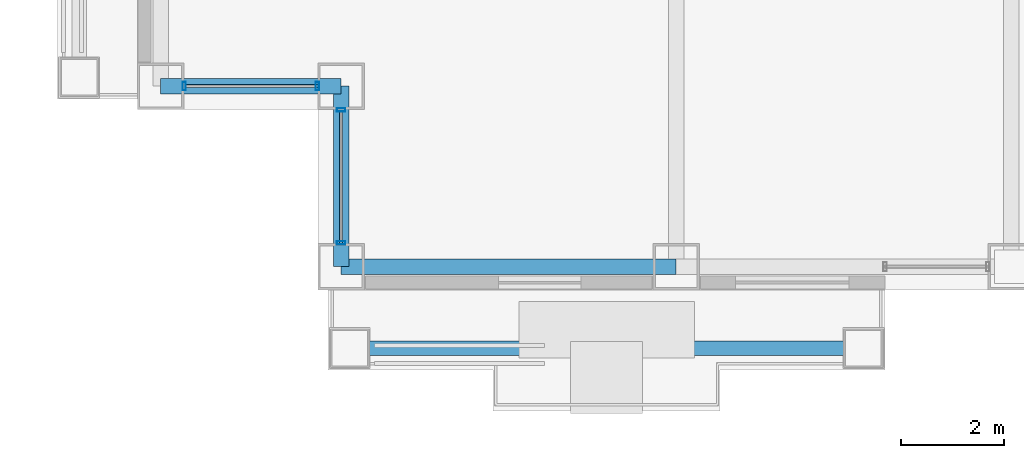
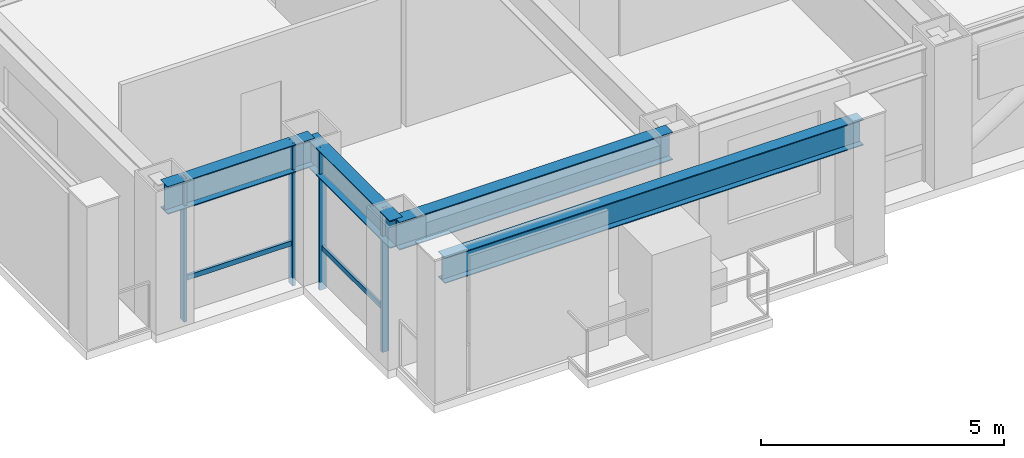
# One storey, part 2 of 30: 6 members, 4 beams, 2 elements without a shape of their own.
"""IFC4 building model written with IfcOpenShell, lengths in metres."""

from ifc_helpers import new_model, si_unit, direction, frame, origin, origin_2d, place, context, subcontext, project, spatial, hollow_rectangle, i_section, extrude, material, layer, layer_set, material_profile, profile_set, type_object, element, aggregate, save


model = new_model("IFC4")

# Units and contexts
model_context = context("Model", 3, precision=1e-05, world=origin(), true_north=direction((0.0, 1.0)))
body_context = subcontext(model_context, "Body", "Model", "MODEL_VIEW")
ifc_project = project(units=[si_unit("LENGTHUNIT", "METRE"), si_unit("AREAUNIT", "SQUARE_METRE"), si_unit("VOLUMEUNIT", "CUBIC_METRE"), si_unit("PLANEANGLEUNIT", "RADIAN"), si_unit("MASSUNIT", "GRAM", prefix="KILO")], contexts=[model_context])

# Site, building, storey
site_placement = place(None, origin())
site = spatial("IfcSite", under=ifc_project, at=site_placement, CompositionType="ELEMENT")
building_placement = place(site_placement, origin())
building = spatial("IfcBuilding", under=site, at=building_placement, Name="Brelmoor Portico Tower", CompositionType="ELEMENT")
storey_placement = place(building_placement, frame((0.0, 0.0, 56.39990234375)))
storey = spatial("IfcBuildingStorey", under=building, at=storey_placement, Name="L14", CompositionType="ELEMENT", Elevation=56.39990234375)

# Beams
ifc_material_1 = material(Name="Steel Q355B", Category="steel")
ifc_material_profile_1 = material_profile(ifc_material_1, i_section(OverallWidth=0.280029296875, OverallDepth=0.64990234375, WebThickness=0.012939453125, FlangeThickness=0.02197265625, at=origin_2d()), Name="HN 650x280x13x22")
ifc_profile_set_1 = profile_set([ifc_material_profile_1], Name="Steel Q355B")
beam_type_1 = type_object("IfcBeamType", Name="BM-SP-650", PredefinedType="SPANDREL", material=ifc_profile_set_1)
beam_1_placement = place(storey_placement, frame((-20.8798828125, -23.1298828125, 3.0751953125), z_axis=(1.0, 0.0, 0.0), x_axis=(0.0, 1.0, 0.0)))
element("IfcBeam", 1, at=beam_1_placement, inside=storey, type_object=beam_type_1, Name="L14 Picture-Frame Perimeter Lintel Beam S1", PredefinedType="SPANDREL", context=body_context, shape_type="SweptSolid", body=[
    extrude(i_section(OverallWidth=0.280029296875, OverallDepth=0.64990234375, WebThickness=0.012939453125, FlangeThickness=0.02197265625, at=origin_2d()), origin(), (0.0, 0.0, 1.0), 9.9599609375),
])
ifc_material_profile_2 = material_profile(ifc_material_1, i_section(OverallWidth=0.300048828125, OverallDepth=0.699951171875, WebThickness=0.012939453125, FlangeThickness=0.02392578125, at=origin_2d()), Name="HN 700x300x13x24")
ifc_profile_set_2 = profile_set([ifc_material_profile_2], Name="Steel Q355B")
beam_type_2 = type_object("IfcBeamType", Name="BM-SP-700", PredefinedType="SPANDREL", material=ifc_profile_set_2)
beam_2_placement = place(storey_placement, frame((-21.050048828125, -21.550048828125, 3.050048828125), z_axis=(1.0, 0.0, 0.0), x_axis=(0.0, 1.0, 0.0)))
element("IfcBeam", 2, at=beam_2_placement, inside=storey, type_object=beam_type_2, Name="L14 Perimeter Spandrel Beam SP-01", PredefinedType="SPANDREL", context=body_context, shape_type="SweptSolid", body=[
    extrude(i_section(OverallWidth=0.300048828125, OverallDepth=0.699951171875, WebThickness=0.012939453125, FlangeThickness=0.02392578125, at=origin_2d()), origin(), (0.0, 0.0, 1.0), 6.5),
])
for number, where, z_axis, x_axis, name in (
    (3, (-24.550048828125, -18.050048828125, 3.050048828125), (1.0, 0.0, 0.0), (0.0, 1.0, 0.0), "L14 Perimeter Spandrel Beam SP-06"),
    (4, (-21.050048828125, -21.550048828125, 3.050048828125), (0.0, 1.0, 0.0), (-1.0, 0.0, 0.0), "L14 Perimeter Spandrel Beam SP-18"),
):
    element("IfcBeam", number, at=place(storey_placement, frame(where, z_axis=z_axis, x_axis=x_axis)), inside=storey, type_object=beam_type_2, Name=name, PredefinedType="SPANDREL", context=body_context, shape_type="SweptSolid", body=[
        extrude(i_section(OverallWidth=0.300048828125, OverallDepth=0.699951171875, WebThickness=0.012939453125, FlangeThickness=0.02392578125, at=origin_2d()), origin(), (0.0, 0.0, 1.0), 3.5),
    ])

# Curtain wall, members
ifc_material_2 = material(Name="Anodised Aluminium Alloy 6063-T6", Category="aluminium")
ifc_layer = layer(ifc_material_2, 0.179931640625)
ifc_layer_set = layer_set([ifc_layer], Name="Anodised Aluminium Alloy 6063-T6")
curtain_wall_type = type_object("IfcCurtainWallType", Name="CW-NOTCH-CHAMFER", PredefinedType="NOTDEFINED", material=ifc_layer_set)
curtain_wall_1_placement = place(storey_placement, origin())
curtain_wall_1 = element("IfcCurtainWall", 5, at=curtain_wall_1_placement, inside=storey, type_object=curtain_wall_type, Name="L14 Curtain Wall CWN-L14-SWH", PredefinedType="NOTDEFINED")
ifc_material_profile_3 = material_profile(ifc_material_2, hollow_rectangle(XDim=0.06494140625, YDim=0.1650390625, WallThickness=0.00390625, at=origin_2d()), Name="ALU MULLION 65x165")
ifc_profile_set_3 = profile_set([ifc_material_profile_3], Name="Anodised Aluminium Alloy 6063-T6")
member_type_1 = type_object("IfcMemberType", Name="MB-CW-MULL-165", PredefinedType="MULLION", material=ifc_profile_set_3)
member_1_placement = place(storey_placement, frame((-24.090087890625, -18.050048828125, -0.199951171875), z_axis=(0.0, 0.0, 1.0), x_axis=(1.0, 0.0, 0.0)))
member_1 = element("IfcMember", 6, at=member_1_placement, type_object=member_type_1, Name="CWN-L14-SWH Mullion 00", PredefinedType="MULLION", context=body_context, shape_type="SweptSolid", body=[
    extrude(hollow_rectangle(XDim=0.06494140625, YDim=0.1650390625, WallThickness=0.00390625, at=origin_2d()), origin(), (0.0, 0.0, 1.0), 3.60009765625),
])
member_2_placement = place(storey_placement, frame((-21.510009765625, -18.050048828125, -0.199951171875), z_axis=(0.0, 0.0, 1.0), x_axis=(1.0, 0.0, 0.0)))
member_2 = element("IfcMember", 7, at=member_2_placement, type_object=member_type_1, Name="CWN-L14-SWH Mullion 01", PredefinedType="MULLION", context=body_context, shape_type="SweptSolid", body=[
    extrude(hollow_rectangle(XDim=0.06494140625, YDim=0.1650390625, WallThickness=0.00390625, at=origin_2d()), origin(), (0.0, 0.0, 1.0), 3.60009765625),
])

curtain_wall_2_placement = place(storey_placement, origin())
curtain_wall_2 = element("IfcCurtainWall", 8, at=curtain_wall_2_placement, inside=storey, type_object=curtain_wall_type, Name="L14 Curtain Wall CWN-L14-SWV", PredefinedType="NOTDEFINED")
member_3_placement = place(storey_placement, frame((-21.050048828125, -21.090087890625, -0.199951171875), z_axis=(0.0, 0.0, 1.0), x_axis=(0.0, 1.0, 0.0)))
member_3 = element("IfcMember", 9, at=member_3_placement, type_object=member_type_1, Name="CWN-L14-SWV Mullion 00", PredefinedType="MULLION", context=body_context, shape_type="SweptSolid", body=[
    extrude(hollow_rectangle(XDim=0.06494140625, YDim=0.1650390625, WallThickness=0.00390625, at=origin_2d()), origin(), (0.0, 0.0, 1.0), 3.60009765625),
])
member_4_placement = place(storey_placement, frame((-21.050048828125, -18.510009765625, -0.199951171875), z_axis=(0.0, 0.0, 1.0), x_axis=(0.0, 1.0, 0.0)))
member_4 = element("IfcMember", 10, at=member_4_placement, type_object=member_type_1, Name="CWN-L14-SWV Mullion 01", PredefinedType="MULLION", context=body_context, shape_type="SweptSolid", body=[
    extrude(hollow_rectangle(XDim=0.06494140625, YDim=0.1650390625, WallThickness=0.00390625, at=origin_2d()), origin(), (0.0, 0.0, 1.0), 3.60009765625),
])

# Member
ifc_material_profile_4 = material_profile(ifc_material_2, hollow_rectangle(XDim=0.06005859375, YDim=0.125, WallThickness=0.00341796875, at=origin_2d()), Name="ALU TRANSOM 60x125")
ifc_profile_set_4 = profile_set([ifc_material_profile_4], Name="Anodised Aluminium Alloy 6063-T6")
member_type_2 = type_object("IfcMemberType", Name="MB-CW-TRAN-125", PredefinedType="USERDEFINED", material=ifc_profile_set_4)
member_5_placement = place(storey_placement, frame((-24.090087890625, -18.050048828125, 0.85009765625), z_axis=(1.0, 0.0, 0.0), x_axis=(0.0, 1.0, 0.0)))
member_5 = element("IfcMember", 11, at=member_5_placement, type_object=member_type_2, Name="CWN-L14-SWH Transom 1-00", ObjectType="TRANSOM", PredefinedType="USERDEFINED", context=body_context, shape_type="SweptSolid", body=[
    extrude(hollow_rectangle(XDim=0.06005859375, YDim=0.125, WallThickness=0.00341796875, at=origin_2d()), origin(), (0.0, 0.0, 1.0), 2.580078125),
])

aggregate(curtain_wall_1, [member_1, member_2, member_5])

member_6_placement = place(storey_placement, frame((-21.050048828125, -21.090087890625, 0.85009765625), z_axis=(0.0, 1.0, 0.0), x_axis=(-1.0, 0.0, 0.0)))
member_6 = element("IfcMember", 12, at=member_6_placement, type_object=member_type_2, Name="CWN-L14-SWV Transom 1-00", ObjectType="TRANSOM", PredefinedType="USERDEFINED", context=body_context, shape_type="SweptSolid", body=[
    extrude(hollow_rectangle(XDim=0.06005859375, YDim=0.125, WallThickness=0.00341796875, at=origin_2d()), origin(), (0.0, 0.0, 1.0), 2.580078125),
])

aggregate(curtain_wall_2, [member_3, member_4, member_6])

save(model, "model.ifc")
